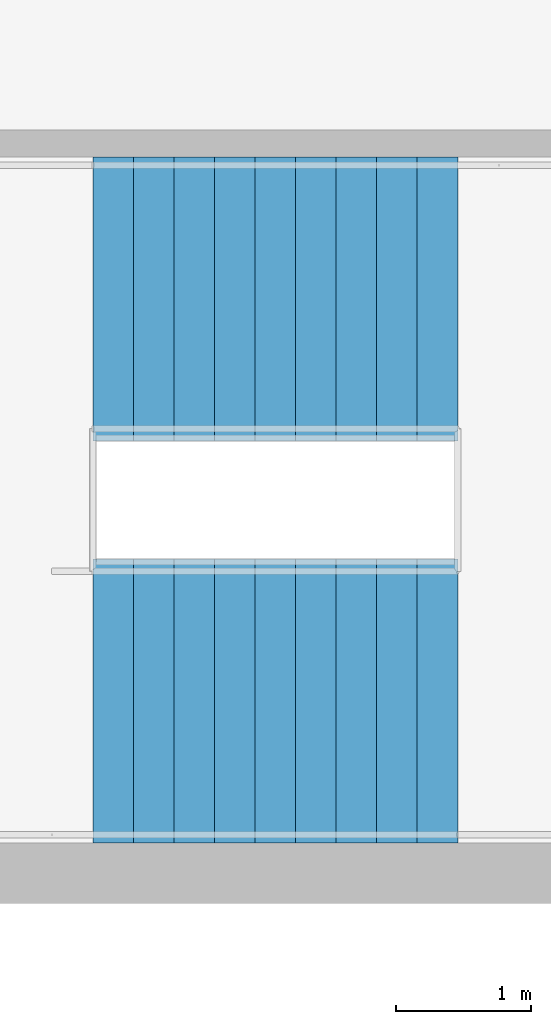
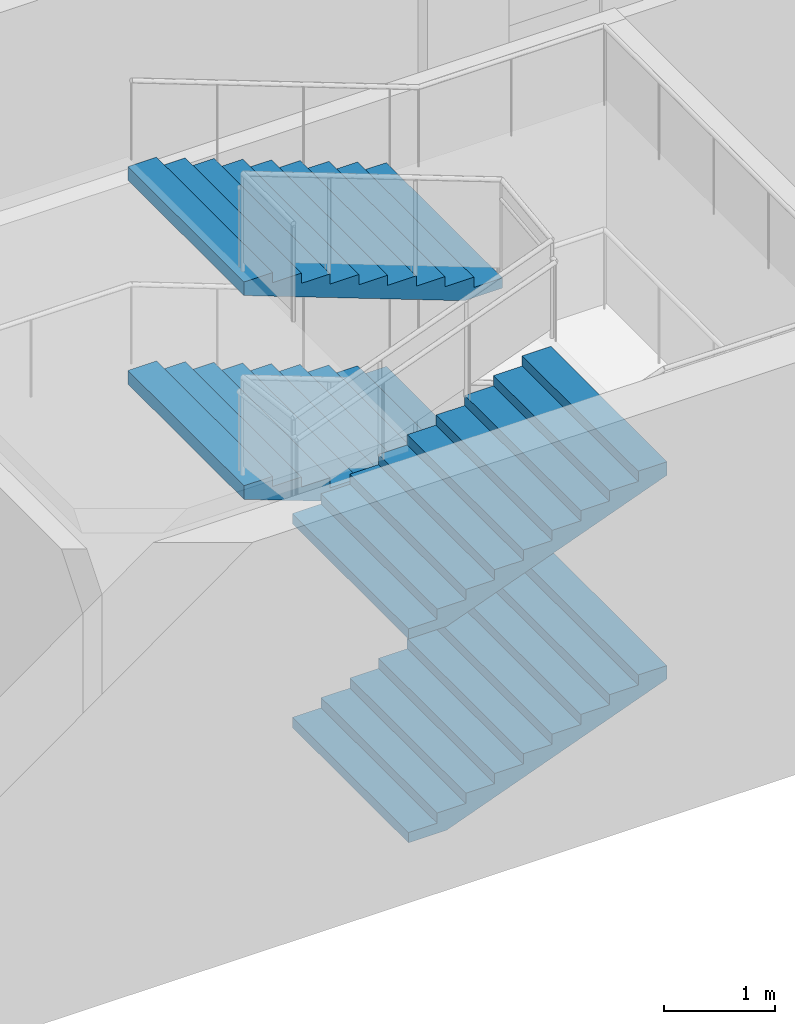
# One storey, part 40 of 64: 4 stair flights, 1 element without a shape of its own.
"""IFC4 building model written with IfcOpenShell, lengths in metres."""

from ifc_helpers import new_model, si_unit, direction, frame, origin, place, context, subcontext, project, spatial, faceted_brep, material, type_object, element, aggregate, save


model = new_model("IFC4")

# Units and contexts
model_context = context("Model", 3, precision=1e-05, world=origin(), true_north=direction((0.0, 1.0)))
body_context = subcontext(model_context, "Body", "Model", "MODEL_VIEW")
ifc_project = project(units=[si_unit("LENGTHUNIT", "METRE"), si_unit("AREAUNIT", "SQUARE_METRE"), si_unit("VOLUMEUNIT", "CUBIC_METRE"), si_unit("PLANEANGLEUNIT", "RADIAN"), si_unit("MASSUNIT", "GRAM", prefix="KILO")], contexts=[model_context])

# Site, building, storey
site_placement = place(None, origin())
site = spatial("IfcSite", under=ifc_project, at=site_placement, CompositionType="ELEMENT")
building_placement = place(site_placement, origin())
building = spatial("IfcBuilding", under=site, at=building_placement, Name="Rulbaag Community and Learning Centre", CompositionType="ELEMENT")
storey_placement = place(building_placement, frame((0.0, 0.0, 5.39990234375)))
storey = spatial("IfcBuildingStorey", under=building, at=storey_placement, Name="L01", CompositionType="ELEMENT", Elevation=5.39990234375)

# Stair, stair flights
ifc_material = material(Name="Concrete M40", Category="concrete")
stair_type = type_object("IfcStairType", Name="ST-2100 STAIR 2100 WIDE", PredefinedType="HALF_TURN_STAIR", material=ifc_material)
stair_placement = place(storey_placement, origin())
stair = element("IfcStair", 1, at=stair_placement, inside=storey, type_object=stair_type, Name="Stair ST-H9 L01", PredefinedType="HALF_TURN_STAIR")
stair_flight_type = type_object("IfcStairFlightType", Name="FL-2100 FLIGHT 2100 WIDE Concrete M40", PredefinedType="STRAIGHT", material=ifc_material)
stair_flight_1_placement = place(storey_placement, frame((20.10009765625, 1.27490234375, 0.0), z_axis=(0.0, 0.0, 1.0), x_axis=(1.0, 0.0, 0.0)))
stair_flight_1 = element("IfcStairFlight", 2, at=stair_flight_1_placement, type_object=stair_flight_type, Name="ST-H9 flight 1", NumberOfRisers=10, NumberOfTreads=9, PredefinedType="STRAIGHT", RiserHeight=0.1125, TreadLength=0.3, context=body_context, shape_type="Brep", body=[
    faceted_brep([(0.3984375, -1.050048828125, 0.0), (2.699951171875, -1.050048828125, 0.863037109375), (2.699951171875, -1.050048828125, 1.012451171875), (2.39990234375, -1.050048828125, 1.012451171875), (2.39990234375, -1.050048828125, 0.89990234375), (2.10009765625, -1.050048828125, 0.89990234375), (2.10009765625, -1.050048828125, 0.78759765625), (1.800048828125, -1.050048828125, 0.78759765625), (1.800048828125, -1.050048828125, 0.675048828125), (1.5, -1.050048828125, 0.675048828125), (1.5, -1.050048828125, 0.5625), (1.199951171875, -1.050048828125, 0.5625), (1.199951171875, -1.050048828125, 0.449951171875), (0.89990234375, -1.050048828125, 0.449951171875), (0.89990234375, -1.050048828125, 0.33740234375), (0.60009765625, -1.050048828125, 0.33740234375), (0.60009765625, -1.050048828125, 0.22509765625), (0.300048828125, -1.050048828125, 0.22509765625), (0.300048828125, -1.050048828125, 0.112548828125), (0.0, -1.050048828125, 0.112548828125), (0.0, -1.050048828125, 0.0), (0.0, 1.050048828125, 0.0), (0.0, 1.050048828125, 0.112548828125), (0.300048828125, 1.050048828125, 0.112548828125), (0.300048828125, 1.050048828125, 0.22509765625), (0.60009765625, 1.050048828125, 0.22509765625), (0.60009765625, 1.050048828125, 0.33740234375), (0.89990234375, 1.050048828125, 0.33740234375), (0.89990234375, 1.050048828125, 0.449951171875), (1.199951171875, 1.050048828125, 0.449951171875), (1.199951171875, 1.050048828125, 0.5625), (1.5, 1.050048828125, 0.5625), (1.5, 1.050048828125, 0.675048828125), (1.800048828125, 1.050048828125, 0.675048828125), (1.800048828125, 1.050048828125, 0.78759765625), (2.10009765625, 1.050048828125, 0.78759765625), (2.10009765625, 1.050048828125, 0.89990234375), (2.39990234375, 1.050048828125, 0.89990234375), (2.39990234375, 1.050048828125, 1.012451171875), (2.699951171875, 1.050048828125, 1.012451171875), (2.699951171875, 1.050048828125, 0.863037109375), (0.3984375, 1.050048828125, 0.0), (0.0, -0.52490234375, 0.112548828125), (0.0, -0.52490234375, 0.0), (0.0, 0.0, 0.112548828125), (0.0, 0.0, 0.0), (0.0, 0.52490234375, 0.112548828125), (0.0, 0.52490234375, 0.0), (0.300048828125, -0.52490234375, 0.112548828125), (0.300048828125, 0.0, 0.112548828125), (0.300048828125, 0.52490234375, 0.112548828125), (0.300048828125, -0.52490234375, 0.22509765625), (0.300048828125, 0.0, 0.22509765625), (0.300048828125, 0.52490234375, 0.22509765625), (0.60009765625, -0.52490234375, 0.22509765625), (0.60009765625, 0.0, 0.22509765625), (0.60009765625, 0.52490234375, 0.22509765625), (0.60009765625, -0.52490234375, 0.33740234375), (0.60009765625, 0.0, 0.33740234375), (0.60009765625, 0.52490234375, 0.33740234375), (0.89990234375, -0.52490234375, 0.33740234375), (0.89990234375, 0.0, 0.33740234375), (0.89990234375, 0.52490234375, 0.33740234375), (0.89990234375, -0.52490234375, 0.449951171875), (0.89990234375, 0.0, 0.449951171875), (0.89990234375, 0.52490234375, 0.449951171875), (1.199951171875, -0.52490234375, 0.449951171875), (1.199951171875, 0.0, 0.449951171875), (1.199951171875, 0.52490234375, 0.449951171875), (1.199951171875, -0.52490234375, 0.5625), (1.199951171875, 0.0, 0.5625), (1.199951171875, 0.52490234375, 0.5625), (1.5, -0.52490234375, 0.5625), (1.5, 0.0, 0.5625), (1.5, 0.52490234375, 0.5625), (1.5, -0.52490234375, 0.675048828125), (1.5, 0.0, 0.675048828125), (1.5, 0.52490234375, 0.675048828125), (1.800048828125, -0.52490234375, 0.675048828125), (1.800048828125, 0.0, 0.675048828125), (1.800048828125, 0.52490234375, 0.675048828125), (1.800048828125, -0.52490234375, 0.78759765625), (1.800048828125, 0.0, 0.78759765625), (1.800048828125, 0.52490234375, 0.78759765625), (2.10009765625, -0.52490234375, 0.78759765625), (2.10009765625, 0.0, 0.78759765625), (2.10009765625, 0.52490234375, 0.78759765625), (2.10009765625, -0.52490234375, 0.89990234375), (2.10009765625, 0.0, 0.89990234375), (2.10009765625, 0.52490234375, 0.89990234375), (2.39990234375, -0.52490234375, 0.89990234375), (2.39990234375, 0.0, 0.89990234375), (2.39990234375, 0.52490234375, 0.89990234375), (2.39990234375, -0.52490234375, 1.012451171875), (2.39990234375, 0.0, 1.012451171875), (2.39990234375, 0.52490234375, 1.012451171875), (2.699951171875, -0.52490234375, 1.012451171875), (2.699951171875, 0.0, 1.012451171875), (2.699951171875, 0.52490234375, 1.012451171875), (2.699951171875, -0.52490234375, 0.863037109375), (2.699951171875, 0.0, 0.863037109375), (2.699951171875, 0.52490234375, 0.863037109375), (0.3984375, -0.52490234375, 0.0), (0.3984375, 0.0, 0.0), (0.3984375, 0.52490234375, 0.0)], [[[0, 1, 2, 3, 4, 5, 6, 7, 8, 9, 10, 11, 12, 13, 14, 15, 16, 17, 18, 19, 20]], [[21, 22, 23, 24, 25, 26, 27, 28, 29, 30, 31, 32, 33, 34, 35, 36, 37, 38, 39, 40, 41]], [[20, 19, 42, 43]], [[43, 42, 44, 45]], [[45, 44, 46, 47]], [[47, 46, 22, 21]], [[19, 18, 48, 42]], [[42, 48, 49, 44]], [[44, 49, 50, 46]], [[46, 50, 23, 22]], [[18, 17, 51, 48]], [[48, 51, 52, 49]], [[49, 52, 53, 50]], [[50, 53, 24, 23]], [[17, 16, 54, 51]], [[51, 54, 55, 52]], [[52, 55, 56, 53]], [[53, 56, 25, 24]], [[16, 15, 57, 54]], [[54, 57, 58, 55]], [[55, 58, 59, 56]], [[56, 59, 26, 25]], [[15, 14, 60, 57]], [[57, 60, 61, 58]], [[58, 61, 62, 59]], [[59, 62, 27, 26]], [[14, 13, 63, 60]], [[60, 63, 64, 61]], [[61, 64, 65, 62]], [[62, 65, 28, 27]], [[13, 12, 66, 63]], [[63, 66, 67, 64]], [[64, 67, 68, 65]], [[65, 68, 29, 28]], [[12, 11, 69, 66]], [[66, 69, 70, 67]], [[67, 70, 71, 68]], [[68, 71, 30, 29]], [[11, 10, 72, 69]], [[69, 72, 73, 70]], [[70, 73, 74, 71]], [[71, 74, 31, 30]], [[10, 9, 75, 72]], [[72, 75, 76, 73]], [[73, 76, 77, 74]], [[74, 77, 32, 31]], [[9, 8, 78, 75]], [[75, 78, 79, 76]], [[76, 79, 80, 77]], [[77, 80, 33, 32]], [[8, 7, 81, 78]], [[78, 81, 82, 79]], [[79, 82, 83, 80]], [[80, 83, 34, 33]], [[7, 6, 84, 81]], [[81, 84, 85, 82]], [[82, 85, 86, 83]], [[83, 86, 35, 34]], [[6, 5, 87, 84]], [[84, 87, 88, 85]], [[85, 88, 89, 86]], [[86, 89, 36, 35]], [[5, 4, 90, 87]], [[87, 90, 91, 88]], [[88, 91, 92, 89]], [[89, 92, 37, 36]], [[4, 3, 93, 90]], [[90, 93, 94, 91]], [[91, 94, 95, 92]], [[92, 95, 38, 37]], [[3, 2, 96, 93]], [[93, 96, 97, 94]], [[94, 97, 98, 95]], [[95, 98, 39, 38]], [[2, 1, 99, 96]], [[96, 99, 100, 97]], [[97, 100, 101, 98]], [[98, 101, 40, 39]], [[1, 0, 102, 99]], [[99, 102, 103, 100]], [[100, 103, 104, 101]], [[101, 104, 41, 40]], [[0, 20, 43, 102]], [[102, 43, 45, 103]], [[103, 45, 47, 104]], [[104, 47, 21, 41]]]),
])
stair_flight_2_placement = place(storey_placement, frame((22.800048828125, 4.25, 1.125), z_axis=(0.0, 0.0, 1.0), x_axis=(-1.0, 0.0, 0.0)))
stair_flight_2 = element("IfcStairFlight", 3, at=stair_flight_2_placement, type_object=stair_flight_type, Name="ST-H9 flight 2", NumberOfRisers=10, NumberOfTreads=9, PredefinedType="STRAIGHT", RiserHeight=0.1125, TreadLength=0.3, context=body_context, shape_type="Brep", body=[
    faceted_brep([(0.3984375, -1.050048828125, 0.0), (2.699951171875, -1.050048828125, 0.863037109375), (2.699951171875, -1.050048828125, 1.012451171875), (2.39990234375, -1.050048828125, 1.012451171875), (2.39990234375, -1.050048828125, 0.89990234375), (2.10009765625, -1.050048828125, 0.89990234375), (2.10009765625, -1.050048828125, 0.78759765625), (1.800048828125, -1.050048828125, 0.78759765625), (1.800048828125, -1.050048828125, 0.675048828125), (1.5, -1.050048828125, 0.675048828125), (1.5, -1.050048828125, 0.5625), (1.199951171875, -1.050048828125, 0.5625), (1.199951171875, -1.050048828125, 0.449951171875), (0.89990234375, -1.050048828125, 0.449951171875), (0.89990234375, -1.050048828125, 0.33740234375), (0.60009765625, -1.050048828125, 0.33740234375), (0.60009765625, -1.050048828125, 0.22509765625), (0.300048828125, -1.050048828125, 0.22509765625), (0.300048828125, -1.050048828125, 0.112548828125), (0.0, -1.050048828125, 0.112548828125), (0.0, -1.050048828125, 0.0), (0.0, 1.050048828125, 0.0), (0.0, 1.050048828125, 0.112548828125), (0.300048828125, 1.050048828125, 0.112548828125), (0.300048828125, 1.050048828125, 0.22509765625), (0.60009765625, 1.050048828125, 0.22509765625), (0.60009765625, 1.050048828125, 0.33740234375), (0.89990234375, 1.050048828125, 0.33740234375), (0.89990234375, 1.050048828125, 0.449951171875), (1.199951171875, 1.050048828125, 0.449951171875), (1.199951171875, 1.050048828125, 0.5625), (1.5, 1.050048828125, 0.5625), (1.5, 1.050048828125, 0.675048828125), (1.800048828125, 1.050048828125, 0.675048828125), (1.800048828125, 1.050048828125, 0.78759765625), (2.10009765625, 1.050048828125, 0.78759765625), (2.10009765625, 1.050048828125, 0.89990234375), (2.39990234375, 1.050048828125, 0.89990234375), (2.39990234375, 1.050048828125, 1.012451171875), (2.699951171875, 1.050048828125, 1.012451171875), (2.699951171875, 1.050048828125, 0.863037109375), (0.3984375, 1.050048828125, 0.0), (0.0, -0.52490234375, 0.112548828125), (0.0, -0.52490234375, 0.0), (0.0, 0.0, 0.112548828125), (0.0, 0.0, 0.0), (0.0, 0.52490234375, 0.112548828125), (0.0, 0.52490234375, 0.0), (0.300048828125, -0.52490234375, 0.112548828125), (0.300048828125, 0.0, 0.112548828125), (0.300048828125, 0.52490234375, 0.112548828125), (0.300048828125, -0.52490234375, 0.22509765625), (0.300048828125, 0.0, 0.22509765625), (0.300048828125, 0.52490234375, 0.22509765625), (0.60009765625, -0.52490234375, 0.22509765625), (0.60009765625, 0.0, 0.22509765625), (0.60009765625, 0.52490234375, 0.22509765625), (0.60009765625, -0.52490234375, 0.33740234375), (0.60009765625, 0.0, 0.33740234375), (0.60009765625, 0.52490234375, 0.33740234375), (0.89990234375, -0.52490234375, 0.33740234375), (0.89990234375, 0.0, 0.33740234375), (0.89990234375, 0.52490234375, 0.33740234375), (0.89990234375, -0.52490234375, 0.449951171875), (0.89990234375, 0.0, 0.449951171875), (0.89990234375, 0.52490234375, 0.449951171875), (1.199951171875, -0.52490234375, 0.449951171875), (1.199951171875, 0.0, 0.449951171875), (1.199951171875, 0.52490234375, 0.449951171875), (1.199951171875, -0.52490234375, 0.5625), (1.199951171875, 0.0, 0.5625), (1.199951171875, 0.52490234375, 0.5625), (1.5, -0.52490234375, 0.5625), (1.5, 0.0, 0.5625), (1.5, 0.52490234375, 0.5625), (1.5, -0.52490234375, 0.675048828125), (1.5, 0.0, 0.675048828125), (1.5, 0.52490234375, 0.675048828125), (1.800048828125, -0.52490234375, 0.675048828125), (1.800048828125, 0.0, 0.675048828125), (1.800048828125, 0.52490234375, 0.675048828125), (1.800048828125, -0.52490234375, 0.78759765625), (1.800048828125, 0.0, 0.78759765625), (1.800048828125, 0.52490234375, 0.78759765625), (2.10009765625, -0.52490234375, 0.78759765625), (2.10009765625, 0.0, 0.78759765625), (2.10009765625, 0.52490234375, 0.78759765625), (2.10009765625, -0.52490234375, 0.89990234375), (2.10009765625, 0.0, 0.89990234375), (2.10009765625, 0.52490234375, 0.89990234375), (2.39990234375, -0.52490234375, 0.89990234375), (2.39990234375, 0.0, 0.89990234375), (2.39990234375, 0.52490234375, 0.89990234375), (2.39990234375, -0.52490234375, 1.012451171875), (2.39990234375, 0.0, 1.012451171875), (2.39990234375, 0.52490234375, 1.012451171875), (2.699951171875, -0.52490234375, 1.012451171875), (2.699951171875, 0.0, 1.012451171875), (2.699951171875, 0.52490234375, 1.012451171875), (2.699951171875, -0.52490234375, 0.863037109375), (2.699951171875, 0.0, 0.863037109375), (2.699951171875, 0.52490234375, 0.863037109375), (0.3984375, -0.52490234375, 0.0), (0.3984375, 0.0, 0.0), (0.3984375, 0.52490234375, 0.0)], [[[0, 1, 2, 3, 4, 5, 6, 7, 8, 9, 10, 11, 12, 13, 14, 15, 16, 17, 18, 19, 20]], [[21, 22, 23, 24, 25, 26, 27, 28, 29, 30, 31, 32, 33, 34, 35, 36, 37, 38, 39, 40, 41]], [[20, 19, 42, 43]], [[43, 42, 44, 45]], [[45, 44, 46, 47]], [[47, 46, 22, 21]], [[19, 18, 48, 42]], [[42, 48, 49, 44]], [[44, 49, 50, 46]], [[46, 50, 23, 22]], [[18, 17, 51, 48]], [[48, 51, 52, 49]], [[49, 52, 53, 50]], [[50, 53, 24, 23]], [[17, 16, 54, 51]], [[51, 54, 55, 52]], [[52, 55, 56, 53]], [[53, 56, 25, 24]], [[16, 15, 57, 54]], [[54, 57, 58, 55]], [[55, 58, 59, 56]], [[56, 59, 26, 25]], [[15, 14, 60, 57]], [[57, 60, 61, 58]], [[58, 61, 62, 59]], [[59, 62, 27, 26]], [[14, 13, 63, 60]], [[60, 63, 64, 61]], [[61, 64, 65, 62]], [[62, 65, 28, 27]], [[13, 12, 66, 63]], [[63, 66, 67, 64]], [[64, 67, 68, 65]], [[65, 68, 29, 28]], [[12, 11, 69, 66]], [[66, 69, 70, 67]], [[67, 70, 71, 68]], [[68, 71, 30, 29]], [[11, 10, 72, 69]], [[69, 72, 73, 70]], [[70, 73, 74, 71]], [[71, 74, 31, 30]], [[10, 9, 75, 72]], [[72, 75, 76, 73]], [[73, 76, 77, 74]], [[74, 77, 32, 31]], [[9, 8, 78, 75]], [[75, 78, 79, 76]], [[76, 79, 80, 77]], [[77, 80, 33, 32]], [[8, 7, 81, 78]], [[78, 81, 82, 79]], [[79, 82, 83, 80]], [[80, 83, 34, 33]], [[7, 6, 84, 81]], [[81, 84, 85, 82]], [[82, 85, 86, 83]], [[83, 86, 35, 34]], [[6, 5, 87, 84]], [[84, 87, 88, 85]], [[85, 88, 89, 86]], [[86, 89, 36, 35]], [[5, 4, 90, 87]], [[87, 90, 91, 88]], [[88, 91, 92, 89]], [[89, 92, 37, 36]], [[4, 3, 93, 90]], [[90, 93, 94, 91]], [[91, 94, 95, 92]], [[92, 95, 38, 37]], [[3, 2, 96, 93]], [[93, 96, 97, 94]], [[94, 97, 98, 95]], [[95, 98, 39, 38]], [[2, 1, 99, 96]], [[96, 99, 100, 97]], [[97, 100, 101, 98]], [[98, 101, 40, 39]], [[1, 0, 102, 99]], [[99, 102, 103, 100]], [[100, 103, 104, 101]], [[101, 104, 41, 40]], [[0, 20, 43, 102]], [[102, 43, 45, 103]], [[103, 45, 47, 104]], [[104, 47, 21, 41]]]),
])
stair_flight_3_placement = place(storey_placement, frame((20.10009765625, 1.27490234375, 2.25), z_axis=(0.0, 0.0, 1.0), x_axis=(1.0, 0.0, 0.0)))
stair_flight_3 = element("IfcStairFlight", 4, at=stair_flight_3_placement, type_object=stair_flight_type, Name="ST-H9 flight 3", NumberOfRisers=10, NumberOfTreads=9, PredefinedType="STRAIGHT", RiserHeight=0.1125, TreadLength=0.3, context=body_context, shape_type="Brep", body=[
    faceted_brep([(0.3984375, -1.050048828125, 0.0), (2.699951171875, -1.050048828125, 0.863037109375), (2.699951171875, -1.050048828125, 1.012451171875), (2.39990234375, -1.050048828125, 1.012451171875), (2.39990234375, -1.050048828125, 0.89990234375), (2.10009765625, -1.050048828125, 0.89990234375), (2.10009765625, -1.050048828125, 0.78759765625), (1.800048828125, -1.050048828125, 0.78759765625), (1.800048828125, -1.050048828125, 0.675048828125), (1.5, -1.050048828125, 0.675048828125), (1.5, -1.050048828125, 0.5625), (1.199951171875, -1.050048828125, 0.5625), (1.199951171875, -1.050048828125, 0.449951171875), (0.89990234375, -1.050048828125, 0.449951171875), (0.89990234375, -1.050048828125, 0.33740234375), (0.60009765625, -1.050048828125, 0.33740234375), (0.60009765625, -1.050048828125, 0.22509765625), (0.300048828125, -1.050048828125, 0.22509765625), (0.300048828125, -1.050048828125, 0.112548828125), (0.0, -1.050048828125, 0.112548828125), (0.0, -1.050048828125, 0.0), (0.0, 1.050048828125, 0.0), (0.0, 1.050048828125, 0.112548828125), (0.300048828125, 1.050048828125, 0.112548828125), (0.300048828125, 1.050048828125, 0.22509765625), (0.60009765625, 1.050048828125, 0.22509765625), (0.60009765625, 1.050048828125, 0.33740234375), (0.89990234375, 1.050048828125, 0.33740234375), (0.89990234375, 1.050048828125, 0.449951171875), (1.199951171875, 1.050048828125, 0.449951171875), (1.199951171875, 1.050048828125, 0.5625), (1.5, 1.050048828125, 0.5625), (1.5, 1.050048828125, 0.675048828125), (1.800048828125, 1.050048828125, 0.675048828125), (1.800048828125, 1.050048828125, 0.78759765625), (2.10009765625, 1.050048828125, 0.78759765625), (2.10009765625, 1.050048828125, 0.89990234375), (2.39990234375, 1.050048828125, 0.89990234375), (2.39990234375, 1.050048828125, 1.012451171875), (2.699951171875, 1.050048828125, 1.012451171875), (2.699951171875, 1.050048828125, 0.863037109375), (0.3984375, 1.050048828125, 0.0), (0.0, -0.52490234375, 0.112548828125), (0.0, -0.52490234375, 0.0), (0.0, 0.0, 0.112548828125), (0.0, 0.0, 0.0), (0.0, 0.52490234375, 0.112548828125), (0.0, 0.52490234375, 0.0), (0.300048828125, -0.52490234375, 0.112548828125), (0.300048828125, 0.0, 0.112548828125), (0.300048828125, 0.52490234375, 0.112548828125), (0.300048828125, -0.52490234375, 0.22509765625), (0.300048828125, 0.0, 0.22509765625), (0.300048828125, 0.52490234375, 0.22509765625), (0.60009765625, -0.52490234375, 0.22509765625), (0.60009765625, 0.0, 0.22509765625), (0.60009765625, 0.52490234375, 0.22509765625), (0.60009765625, -0.52490234375, 0.33740234375), (0.60009765625, 0.0, 0.33740234375), (0.60009765625, 0.52490234375, 0.33740234375), (0.89990234375, -0.52490234375, 0.33740234375), (0.89990234375, 0.0, 0.33740234375), (0.89990234375, 0.52490234375, 0.33740234375), (0.89990234375, -0.52490234375, 0.449951171875), (0.89990234375, 0.0, 0.449951171875), (0.89990234375, 0.52490234375, 0.449951171875), (1.199951171875, -0.52490234375, 0.449951171875), (1.199951171875, 0.0, 0.449951171875), (1.199951171875, 0.52490234375, 0.449951171875), (1.199951171875, -0.52490234375, 0.5625), (1.199951171875, 0.0, 0.5625), (1.199951171875, 0.52490234375, 0.5625), (1.5, -0.52490234375, 0.5625), (1.5, 0.0, 0.5625), (1.5, 0.52490234375, 0.5625), (1.5, -0.52490234375, 0.675048828125), (1.5, 0.0, 0.675048828125), (1.5, 0.52490234375, 0.675048828125), (1.800048828125, -0.52490234375, 0.675048828125), (1.800048828125, 0.0, 0.675048828125), (1.800048828125, 0.52490234375, 0.675048828125), (1.800048828125, -0.52490234375, 0.78759765625), (1.800048828125, 0.0, 0.78759765625), (1.800048828125, 0.52490234375, 0.78759765625), (2.10009765625, -0.52490234375, 0.78759765625), (2.10009765625, 0.0, 0.78759765625), (2.10009765625, 0.52490234375, 0.78759765625), (2.10009765625, -0.52490234375, 0.89990234375), (2.10009765625, 0.0, 0.89990234375), (2.10009765625, 0.52490234375, 0.89990234375), (2.39990234375, -0.52490234375, 0.89990234375), (2.39990234375, 0.0, 0.89990234375), (2.39990234375, 0.52490234375, 0.89990234375), (2.39990234375, -0.52490234375, 1.012451171875), (2.39990234375, 0.0, 1.012451171875), (2.39990234375, 0.52490234375, 1.012451171875), (2.699951171875, -0.52490234375, 1.012451171875), (2.699951171875, 0.0, 1.012451171875), (2.699951171875, 0.52490234375, 1.012451171875), (2.699951171875, -0.52490234375, 0.863037109375), (2.699951171875, 0.0, 0.863037109375), (2.699951171875, 0.52490234375, 0.863037109375), (0.3984375, -0.52490234375, 0.0), (0.3984375, 0.0, 0.0), (0.3984375, 0.52490234375, 0.0)], [[[0, 1, 2, 3, 4, 5, 6, 7, 8, 9, 10, 11, 12, 13, 14, 15, 16, 17, 18, 19, 20]], [[21, 22, 23, 24, 25, 26, 27, 28, 29, 30, 31, 32, 33, 34, 35, 36, 37, 38, 39, 40, 41]], [[20, 19, 42, 43]], [[43, 42, 44, 45]], [[45, 44, 46, 47]], [[47, 46, 22, 21]], [[19, 18, 48, 42]], [[42, 48, 49, 44]], [[44, 49, 50, 46]], [[46, 50, 23, 22]], [[18, 17, 51, 48]], [[48, 51, 52, 49]], [[49, 52, 53, 50]], [[50, 53, 24, 23]], [[17, 16, 54, 51]], [[51, 54, 55, 52]], [[52, 55, 56, 53]], [[53, 56, 25, 24]], [[16, 15, 57, 54]], [[54, 57, 58, 55]], [[55, 58, 59, 56]], [[56, 59, 26, 25]], [[15, 14, 60, 57]], [[57, 60, 61, 58]], [[58, 61, 62, 59]], [[59, 62, 27, 26]], [[14, 13, 63, 60]], [[60, 63, 64, 61]], [[61, 64, 65, 62]], [[62, 65, 28, 27]], [[13, 12, 66, 63]], [[63, 66, 67, 64]], [[64, 67, 68, 65]], [[65, 68, 29, 28]], [[12, 11, 69, 66]], [[66, 69, 70, 67]], [[67, 70, 71, 68]], [[68, 71, 30, 29]], [[11, 10, 72, 69]], [[69, 72, 73, 70]], [[70, 73, 74, 71]], [[71, 74, 31, 30]], [[10, 9, 75, 72]], [[72, 75, 76, 73]], [[73, 76, 77, 74]], [[74, 77, 32, 31]], [[9, 8, 78, 75]], [[75, 78, 79, 76]], [[76, 79, 80, 77]], [[77, 80, 33, 32]], [[8, 7, 81, 78]], [[78, 81, 82, 79]], [[79, 82, 83, 80]], [[80, 83, 34, 33]], [[7, 6, 84, 81]], [[81, 84, 85, 82]], [[82, 85, 86, 83]], [[83, 86, 35, 34]], [[6, 5, 87, 84]], [[84, 87, 88, 85]], [[85, 88, 89, 86]], [[86, 89, 36, 35]], [[5, 4, 90, 87]], [[87, 90, 91, 88]], [[88, 91, 92, 89]], [[89, 92, 37, 36]], [[4, 3, 93, 90]], [[90, 93, 94, 91]], [[91, 94, 95, 92]], [[92, 95, 38, 37]], [[3, 2, 96, 93]], [[93, 96, 97, 94]], [[94, 97, 98, 95]], [[95, 98, 39, 38]], [[2, 1, 99, 96]], [[96, 99, 100, 97]], [[97, 100, 101, 98]], [[98, 101, 40, 39]], [[1, 0, 102, 99]], [[99, 102, 103, 100]], [[100, 103, 104, 101]], [[101, 104, 41, 40]], [[0, 20, 43, 102]], [[102, 43, 45, 103]], [[103, 45, 47, 104]], [[104, 47, 21, 41]]]),
])
stair_flight_4_placement = place(storey_placement, frame((22.800048828125, 4.25, 3.375), z_axis=(0.0, 0.0, 1.0), x_axis=(-1.0, 0.0, 0.0)))
stair_flight_4 = element("IfcStairFlight", 5, at=stair_flight_4_placement, type_object=stair_flight_type, Name="ST-H9 flight 4", NumberOfRisers=10, NumberOfTreads=9, PredefinedType="STRAIGHT", RiserHeight=0.1125, TreadLength=0.3, context=body_context, shape_type="Brep", body=[
    faceted_brep([(0.3984375, -1.050048828125, 0.0), (2.699951171875, -1.050048828125, 0.863037109375), (2.699951171875, -1.050048828125, 1.012451171875), (2.39990234375, -1.050048828125, 1.012451171875), (2.39990234375, -1.050048828125, 0.89990234375), (2.10009765625, -1.050048828125, 0.89990234375), (2.10009765625, -1.050048828125, 0.78759765625), (1.800048828125, -1.050048828125, 0.78759765625), (1.800048828125, -1.050048828125, 0.675048828125), (1.5, -1.050048828125, 0.675048828125), (1.5, -1.050048828125, 0.5625), (1.199951171875, -1.050048828125, 0.5625), (1.199951171875, -1.050048828125, 0.449951171875), (0.89990234375, -1.050048828125, 0.449951171875), (0.89990234375, -1.050048828125, 0.33740234375), (0.60009765625, -1.050048828125, 0.33740234375), (0.60009765625, -1.050048828125, 0.22509765625), (0.300048828125, -1.050048828125, 0.22509765625), (0.300048828125, -1.050048828125, 0.112548828125), (0.0, -1.050048828125, 0.112548828125), (0.0, -1.050048828125, 0.0), (0.0, 1.050048828125, 0.0), (0.0, 1.050048828125, 0.112548828125), (0.300048828125, 1.050048828125, 0.112548828125), (0.300048828125, 1.050048828125, 0.22509765625), (0.60009765625, 1.050048828125, 0.22509765625), (0.60009765625, 1.050048828125, 0.33740234375), (0.89990234375, 1.050048828125, 0.33740234375), (0.89990234375, 1.050048828125, 0.449951171875), (1.199951171875, 1.050048828125, 0.449951171875), (1.199951171875, 1.050048828125, 0.5625), (1.5, 1.050048828125, 0.5625), (1.5, 1.050048828125, 0.675048828125), (1.800048828125, 1.050048828125, 0.675048828125), (1.800048828125, 1.050048828125, 0.78759765625), (2.10009765625, 1.050048828125, 0.78759765625), (2.10009765625, 1.050048828125, 0.89990234375), (2.39990234375, 1.050048828125, 0.89990234375), (2.39990234375, 1.050048828125, 1.012451171875), (2.699951171875, 1.050048828125, 1.012451171875), (2.699951171875, 1.050048828125, 0.863037109375), (0.3984375, 1.050048828125, 0.0), (0.0, -0.52490234375, 0.112548828125), (0.0, -0.52490234375, 0.0), (0.0, 0.0, 0.112548828125), (0.0, 0.0, 0.0), (0.0, 0.52490234375, 0.112548828125), (0.0, 0.52490234375, 0.0), (0.300048828125, -0.52490234375, 0.112548828125), (0.300048828125, 0.0, 0.112548828125), (0.300048828125, 0.52490234375, 0.112548828125), (0.300048828125, -0.52490234375, 0.22509765625), (0.300048828125, 0.0, 0.22509765625), (0.300048828125, 0.52490234375, 0.22509765625), (0.60009765625, -0.52490234375, 0.22509765625), (0.60009765625, 0.0, 0.22509765625), (0.60009765625, 0.52490234375, 0.22509765625), (0.60009765625, -0.52490234375, 0.33740234375), (0.60009765625, 0.0, 0.33740234375), (0.60009765625, 0.52490234375, 0.33740234375), (0.89990234375, -0.52490234375, 0.33740234375), (0.89990234375, 0.0, 0.33740234375), (0.89990234375, 0.52490234375, 0.33740234375), (0.89990234375, -0.52490234375, 0.449951171875), (0.89990234375, 0.0, 0.449951171875), (0.89990234375, 0.52490234375, 0.449951171875), (1.199951171875, -0.52490234375, 0.449951171875), (1.199951171875, 0.0, 0.449951171875), (1.199951171875, 0.52490234375, 0.449951171875), (1.199951171875, -0.52490234375, 0.5625), (1.199951171875, 0.0, 0.5625), (1.199951171875, 0.52490234375, 0.5625), (1.5, -0.52490234375, 0.5625), (1.5, 0.0, 0.5625), (1.5, 0.52490234375, 0.5625), (1.5, -0.52490234375, 0.675048828125), (1.5, 0.0, 0.675048828125), (1.5, 0.52490234375, 0.675048828125), (1.800048828125, -0.52490234375, 0.675048828125), (1.800048828125, 0.0, 0.675048828125), (1.800048828125, 0.52490234375, 0.675048828125), (1.800048828125, -0.52490234375, 0.78759765625), (1.800048828125, 0.0, 0.78759765625), (1.800048828125, 0.52490234375, 0.78759765625), (2.10009765625, -0.52490234375, 0.78759765625), (2.10009765625, 0.0, 0.78759765625), (2.10009765625, 0.52490234375, 0.78759765625), (2.10009765625, -0.52490234375, 0.89990234375), (2.10009765625, 0.0, 0.89990234375), (2.10009765625, 0.52490234375, 0.89990234375), (2.39990234375, -0.52490234375, 0.89990234375), (2.39990234375, 0.0, 0.89990234375), (2.39990234375, 0.52490234375, 0.89990234375), (2.39990234375, -0.52490234375, 1.012451171875), (2.39990234375, 0.0, 1.012451171875), (2.39990234375, 0.52490234375, 1.012451171875), (2.699951171875, -0.52490234375, 1.012451171875), (2.699951171875, 0.0, 1.012451171875), (2.699951171875, 0.52490234375, 1.012451171875), (2.699951171875, -0.52490234375, 0.863037109375), (2.699951171875, 0.0, 0.863037109375), (2.699951171875, 0.52490234375, 0.863037109375), (0.3984375, -0.52490234375, 0.0), (0.3984375, 0.0, 0.0), (0.3984375, 0.52490234375, 0.0)], [[[0, 1, 2, 3, 4, 5, 6, 7, 8, 9, 10, 11, 12, 13, 14, 15, 16, 17, 18, 19, 20]], [[21, 22, 23, 24, 25, 26, 27, 28, 29, 30, 31, 32, 33, 34, 35, 36, 37, 38, 39, 40, 41]], [[20, 19, 42, 43]], [[43, 42, 44, 45]], [[45, 44, 46, 47]], [[47, 46, 22, 21]], [[19, 18, 48, 42]], [[42, 48, 49, 44]], [[44, 49, 50, 46]], [[46, 50, 23, 22]], [[18, 17, 51, 48]], [[48, 51, 52, 49]], [[49, 52, 53, 50]], [[50, 53, 24, 23]], [[17, 16, 54, 51]], [[51, 54, 55, 52]], [[52, 55, 56, 53]], [[53, 56, 25, 24]], [[16, 15, 57, 54]], [[54, 57, 58, 55]], [[55, 58, 59, 56]], [[56, 59, 26, 25]], [[15, 14, 60, 57]], [[57, 60, 61, 58]], [[58, 61, 62, 59]], [[59, 62, 27, 26]], [[14, 13, 63, 60]], [[60, 63, 64, 61]], [[61, 64, 65, 62]], [[62, 65, 28, 27]], [[13, 12, 66, 63]], [[63, 66, 67, 64]], [[64, 67, 68, 65]], [[65, 68, 29, 28]], [[12, 11, 69, 66]], [[66, 69, 70, 67]], [[67, 70, 71, 68]], [[68, 71, 30, 29]], [[11, 10, 72, 69]], [[69, 72, 73, 70]], [[70, 73, 74, 71]], [[71, 74, 31, 30]], [[10, 9, 75, 72]], [[72, 75, 76, 73]], [[73, 76, 77, 74]], [[74, 77, 32, 31]], [[9, 8, 78, 75]], [[75, 78, 79, 76]], [[76, 79, 80, 77]], [[77, 80, 33, 32]], [[8, 7, 81, 78]], [[78, 81, 82, 79]], [[79, 82, 83, 80]], [[80, 83, 34, 33]], [[7, 6, 84, 81]], [[81, 84, 85, 82]], [[82, 85, 86, 83]], [[83, 86, 35, 34]], [[6, 5, 87, 84]], [[84, 87, 88, 85]], [[85, 88, 89, 86]], [[86, 89, 36, 35]], [[5, 4, 90, 87]], [[87, 90, 91, 88]], [[88, 91, 92, 89]], [[89, 92, 37, 36]], [[4, 3, 93, 90]], [[90, 93, 94, 91]], [[91, 94, 95, 92]], [[92, 95, 38, 37]], [[3, 2, 96, 93]], [[93, 96, 97, 94]], [[94, 97, 98, 95]], [[95, 98, 39, 38]], [[2, 1, 99, 96]], [[96, 99, 100, 97]], [[97, 100, 101, 98]], [[98, 101, 40, 39]], [[1, 0, 102, 99]], [[99, 102, 103, 100]], [[100, 103, 104, 101]], [[101, 104, 41, 40]], [[0, 20, 43, 102]], [[102, 43, 45, 103]], [[103, 45, 47, 104]], [[104, 47, 21, 41]]]),
])
aggregate(stair, [stair_flight_1, stair_flight_2, stair_flight_3, stair_flight_4])

save(model, "model.ifc")
